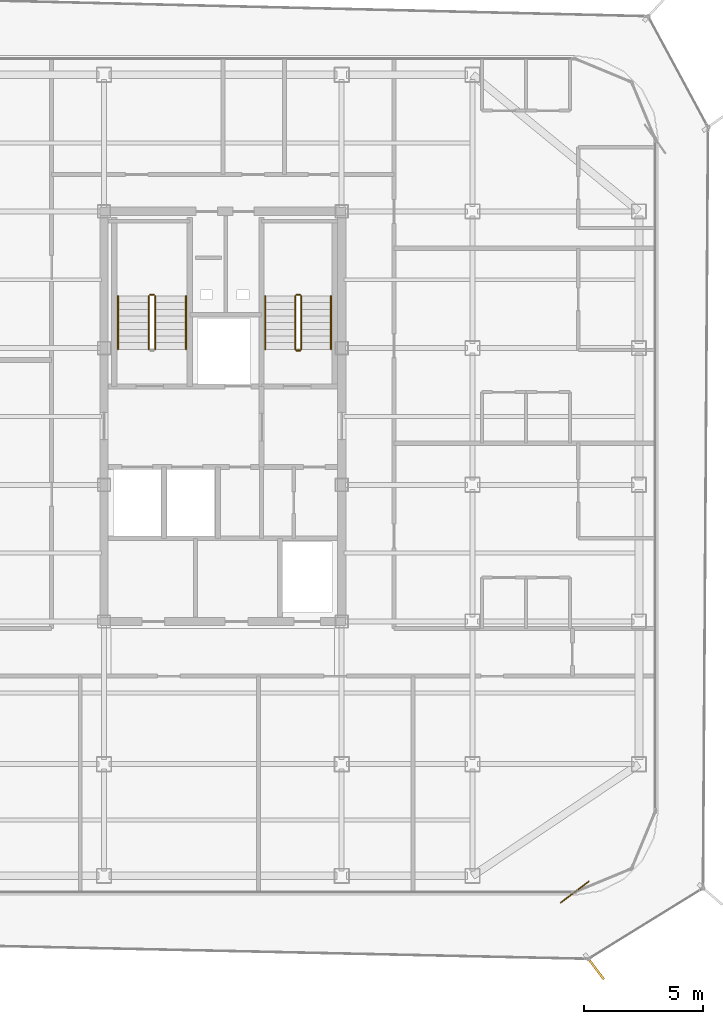
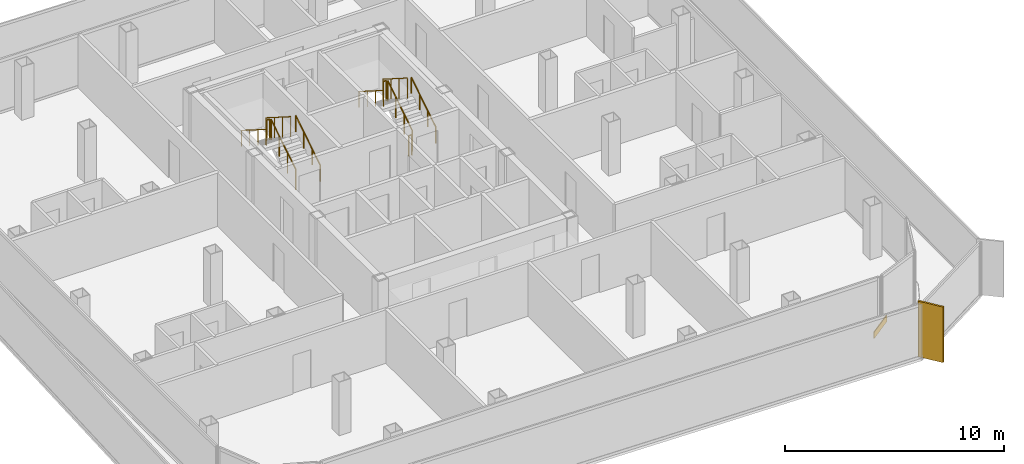
# One storey, part 14 of 15: 11 railings, 1 covering, 1 shading device.
"""IFC4 building model written with IfcOpenShell, lengths in metres."""

from ifc_helpers import new_model, si_unit, direction, frame, origin, origin_2d, place, context, subcontext, project, spatial, rectangle, circle, extrude, source, transform, mapped, material, layer, layer_set, type_object, element, save


model = new_model("IFC4")

# Units and contexts
model_context = context("Model", 3, precision=1e-05, world=origin(), true_north=direction((0.0, 1.0)))
body_context = subcontext(model_context, "Body", "Model", "MODEL_VIEW")
ifc_project = project(units=[si_unit("LENGTHUNIT", "METRE"), si_unit("AREAUNIT", "SQUARE_METRE"), si_unit("VOLUMEUNIT", "CUBIC_METRE"), si_unit("PLANEANGLEUNIT", "RADIAN"), si_unit("MASSUNIT", "GRAM", prefix="KILO")], contexts=[model_context])

# Site, building, storey
site_placement = place(None, origin())
site = spatial("IfcSite", under=ifc_project, at=site_placement, CompositionType="ELEMENT")
building_placement = place(site_placement, origin())
building = spatial("IfcBuilding", under=site, at=building_placement, Name="Kolveth Station Tower", CompositionType="ELEMENT")
storey_placement = place(building_placement, frame((0.0, 0.0, 248.89990234375)))
storey = spatial("IfcBuildingStorey", under=building, at=storey_placement, Name="L71", CompositionType="ELEMENT", Elevation=248.89990234375)

# Railings
ifc_material_1 = material(Name="Painted Steel S355 balustrade", Category="steel")
railing_type_1 = type_object("IfcRailingType", Name="Guard_GR2", PredefinedType="BALUSTRADE", material=ifc_material_1)
railing_1_placement = place(storey_placement, frame((20.64990234375, 22.949951171875, 0.177978515625)))
element("IfcRailing", 1, at=railing_1_placement, inside=storey, type_object=railing_type_1, Name="L71 ST1 stair guard 1", PredefinedType="BALUSTRADE", context=body_context, shape_type="SweptSolid", body=[
    extrude(circle(Radius=0.02392578125, at=origin_2d()), frame((0.0, 0.0, 1.1259765625), z_axis=(0.0, 0.8442293374, 0.53598211339), x_axis=(-1.0, 0.0, 0.0)), (0.0, 0.0, 1.0), 2.6533203125),
    extrude(circle(Radius=0.02099609375, at=origin_2d()), origin(), (0.0, 0.0, 1.0), 1.101806640625),
    extrude(circle(Radius=0.02099609375, at=origin_2d()), frame((0.0, 0.74658203125, 0.47412109375)), (0.0, 0.0, 1.0), 1.101806640625),
    extrude(circle(Radius=0.02099609375, at=origin_2d()), frame((0.0, 1.493408203125, 0.947998046875)), (0.0, 0.0, 1.0), 1.101806640625),
    extrude(circle(Radius=0.02099609375, at=origin_2d()), frame((0.0, 2.239990234375, 1.422119140625)), (0.0, 0.0, 1.0), 1.101806640625),
])
railing_2_placement = place(storey_placement, frame((20.60009765625, 25.239990234375, 1.60009765625)))
element("IfcRailing", 2, at=railing_2_placement, inside=storey, type_object=railing_type_1, Name="L71 ST1 stair guard 2", PredefinedType="BALUSTRADE", context=body_context, shape_type="SweptSolid", body=[
    extrude(circle(Radius=0.02392578125, at=origin_2d()), frame((0.0, 0.0, 1.1259765625), z_axis=(-1.0, 0.0, 0.0), x_axis=(0.0, -1.0, 0.0)), (0.0, 0.0, 1.0), 0.16015625),
    extrude(circle(Radius=0.02099609375, at=origin_2d()), origin(), (0.0, 0.0, 1.0), 1.101806640625),
    extrude(circle(Radius=0.02099609375, at=origin_2d()), frame((-0.16015625, 0.0, 0.0)), (0.0, 0.0, 1.0), 1.101806640625),
])
railing_3_placement = place(storey_placement, frame((20.389892578125, 25.18994140625, 1.77783203125)))
element("IfcRailing", 3, at=railing_3_placement, inside=storey, type_object=railing_type_1, Name="L71 ST1 stair guard 3", PredefinedType="BALUSTRADE", context=body_context, shape_type="SweptSolid", body=[
    extrude(circle(Radius=0.02392578125, at=origin_2d()), frame((0.0, 0.0, 1.1259765625), z_axis=(0.0, -0.84418770128, 0.536047689118), x_axis=(1.0, 0.0, 0.0)), (0.0, 0.0, 1.0), 2.6533203125),
    extrude(circle(Radius=0.02099609375, at=origin_2d()), origin(), (0.0, 0.0, 1.0), 1.101806640625),
    extrude(circle(Radius=0.02099609375, at=origin_2d()), frame((0.0, -0.74658203125, 0.47412109375)), (0.0, 0.0, 1.0), 1.101806640625),
    extrude(circle(Radius=0.02099609375, at=origin_2d()), frame((0.0, -1.493408203125, 0.9482421875)), (0.0, 0.0, 1.0), 1.101806640625),
    extrude(circle(Radius=0.02099609375, at=origin_2d()), frame((0.0, -2.239990234375, 1.42236328125)), (0.0, 0.0, 1.0), 1.101806640625),
])
railing_4_placement = place(storey_placement, frame((26.800048828125, 22.949951171875, 0.177978515625)))
element("IfcRailing", 4, at=railing_4_placement, inside=storey, type_object=railing_type_1, Name="L71 ST2 stair guard 1", PredefinedType="BALUSTRADE", context=body_context, shape_type="SweptSolid", body=[
    extrude(circle(Radius=0.02392578125, at=origin_2d()), frame((0.0, 0.0, 1.1259765625), z_axis=(0.0, 0.8442293374, 0.53598211339), x_axis=(-1.0, 0.0, 0.0)), (0.0, 0.0, 1.0), 2.6533203125),
    extrude(circle(Radius=0.02099609375, at=origin_2d()), origin(), (0.0, 0.0, 1.0), 1.101806640625),
    extrude(circle(Radius=0.02099609375, at=origin_2d()), frame((0.0, 0.74658203125, 0.47412109375)), (0.0, 0.0, 1.0), 1.101806640625),
    extrude(circle(Radius=0.02099609375, at=origin_2d()), frame((0.0, 1.493408203125, 0.947998046875)), (0.0, 0.0, 1.0), 1.101806640625),
    extrude(circle(Radius=0.02099609375, at=origin_2d()), frame((0.0, 2.239990234375, 1.422119140625)), (0.0, 0.0, 1.0), 1.101806640625),
])
railing_5_placement = place(storey_placement, frame((26.75, 25.239990234375, 1.60009765625)))
element("IfcRailing", 5, at=railing_5_placement, inside=storey, type_object=railing_type_1, Name="L71 ST2 stair guard 2", PredefinedType="BALUSTRADE", context=body_context, shape_type="SweptSolid", body=[
    extrude(circle(Radius=0.02392578125, at=origin_2d()), frame((0.0, 0.0, 1.1259765625), z_axis=(-1.0, 0.0, 0.0), x_axis=(0.0, -1.0, 0.0)), (0.0, 0.0, 1.0), 0.159912109375),
    extrude(circle(Radius=0.02099609375, at=origin_2d()), origin(), (0.0, 0.0, 1.0), 1.101806640625),
    extrude(circle(Radius=0.02099609375, at=origin_2d()), frame((-0.159912109375, 0.0, 0.0)), (0.0, 0.0, 1.0), 1.101806640625),
])
railing_6_placement = place(storey_placement, frame((26.5400390625, 25.18994140625, 1.77783203125)))
element("IfcRailing", 6, at=railing_6_placement, inside=storey, type_object=railing_type_1, Name="L71 ST2 stair guard 3", PredefinedType="BALUSTRADE", context=body_context, shape_type="SweptSolid", body=[
    extrude(circle(Radius=0.02392578125, at=origin_2d()), frame((0.0, 0.0, 1.1259765625), z_axis=(0.0, -0.84418770128, 0.536047689118), x_axis=(1.0, 0.0, 0.0)), (0.0, 0.0, 1.0), 2.6533203125),
    extrude(circle(Radius=0.02099609375, at=origin_2d()), origin(), (0.0, 0.0, 1.0), 1.101806640625),
    extrude(circle(Radius=0.02099609375, at=origin_2d()), frame((0.0, -0.74658203125, 0.47412109375)), (0.0, 0.0, 1.0), 1.101806640625),
    extrude(circle(Radius=0.02099609375, at=origin_2d()), frame((0.0, -1.493408203125, 0.9482421875)), (0.0, 0.0, 1.0), 1.101806640625),
    extrude(circle(Radius=0.02099609375, at=origin_2d()), frame((0.0, -2.239990234375, 1.42236328125)), (0.0, 0.0, 1.0), 1.101806640625),
])
railing_7_placement = place(storey_placement, frame((26.75, 22.89990234375, 0.0)))
element("IfcRailing", 7, at=railing_7_placement, inside=storey, type_object=railing_type_1, Name="L71 ST2 stair guard 4", PredefinedType="BALUSTRADE", context=body_context, shape_type="SweptSolid", body=[
    extrude(circle(Radius=0.02392578125, at=origin_2d()), frame((0.0, 0.0, 1.1259765625), z_axis=(-1.0, 0.0, 0.0), x_axis=(0.0, -1.0, 0.0)), (0.0, 0.0, 1.0), 0.159912109375),
    extrude(circle(Radius=0.02099609375, at=origin_2d()), origin(), (0.0, 0.0, 1.0), 1.101806640625),
    extrude(circle(Radius=0.02099609375, at=origin_2d()), frame((-0.159912109375, 0.0, 0.0)), (0.0, 0.0, 1.0), 1.101806640625),
])
ifc_material_2 = material(Name="Brushed stainless steel", Category="steel")
railing_type_2 = type_object("IfcRailingType", Name="Handrail_HR1", PredefinedType="HANDRAIL", material=ifc_material_2)
railing_8_placement = place(storey_placement, frame((21.949951171875, 22.949951171875, 0.177978515625)))
element("IfcRailing", 8, at=railing_8_placement, inside=storey, type_object=railing_type_2, Name="L71 ST1 stair handrail 1", PredefinedType="HANDRAIL", context=body_context, shape_type="SweptSolid", body=[
    extrude(circle(Radius=0.02392578125, at=origin_2d()), frame((0.0, 0.0, 0.8759765625), z_axis=(0.0, 0.8442293374, 0.53598211339), x_axis=(-1.0, 0.0, 0.0)), (0.0, 0.0, 1.0), 2.6533203125),
    extrude(circle(Radius=0.02099609375, at=origin_2d()), origin(), (0.0, 0.0, 1.0), 0.851806640625),
    extrude(circle(Radius=0.02099609375, at=origin_2d()), frame((0.0, 0.74658203125, 0.47412109375)), (0.0, 0.0, 1.0), 0.851806640625),
    extrude(circle(Radius=0.02099609375, at=origin_2d()), frame((0.0, 1.493408203125, 0.947998046875)), (0.0, 0.0, 1.0), 0.851806640625),
    extrude(circle(Radius=0.02099609375, at=origin_2d()), frame((0.0, 2.239990234375, 1.422119140625)), (0.0, 0.0, 1.0), 0.851806640625),
])
railing_9_placement = place(storey_placement, frame((19.090087890625, 25.18994140625, 1.77783203125)))
element("IfcRailing", 9, at=railing_9_placement, inside=storey, type_object=railing_type_2, Name="L71 ST1 stair handrail 2", PredefinedType="HANDRAIL", context=body_context, shape_type="SweptSolid", body=[
    extrude(circle(Radius=0.02392578125, at=origin_2d()), frame((0.0, 0.0, 0.8759765625), z_axis=(0.0, -0.84418770128, 0.536047689118), x_axis=(1.0, 0.0, 0.0)), (0.0, 0.0, 1.0), 2.6533203125),
    extrude(circle(Radius=0.02099609375, at=origin_2d()), origin(), (0.0, 0.0, 1.0), 0.851806640625),
    extrude(circle(Radius=0.02099609375, at=origin_2d()), frame((0.0, -0.74658203125, 0.47412109375)), (0.0, 0.0, 1.0), 0.851806640625),
    extrude(circle(Radius=0.02099609375, at=origin_2d()), frame((0.0, -1.493408203125, 0.9482421875)), (0.0, 0.0, 1.0), 0.851806640625),
    extrude(circle(Radius=0.02099609375, at=origin_2d()), frame((0.0, -2.239990234375, 1.42236328125)), (0.0, 0.0, 1.0), 0.851806640625),
])
railing_10_placement = place(storey_placement, frame((28.050048828125, 22.949951171875, 0.177978515625)))
element("IfcRailing", 10, at=railing_10_placement, inside=storey, type_object=railing_type_2, Name="L71 ST2 stair handrail 1", PredefinedType="HANDRAIL", context=body_context, shape_type="SweptSolid", body=[
    extrude(circle(Radius=0.02392578125, at=origin_2d()), frame((0.0, 0.0, 0.8759765625), z_axis=(0.0, 0.8442293374, 0.53598211339), x_axis=(-1.0, 0.0, 0.0)), (0.0, 0.0, 1.0), 2.6533203125),
    extrude(circle(Radius=0.02099609375, at=origin_2d()), origin(), (0.0, 0.0, 1.0), 0.851806640625),
    extrude(circle(Radius=0.02099609375, at=origin_2d()), frame((0.0, 0.74658203125, 0.47412109375)), (0.0, 0.0, 1.0), 0.851806640625),
    extrude(circle(Radius=0.02099609375, at=origin_2d()), frame((0.0, 1.493408203125, 0.947998046875)), (0.0, 0.0, 1.0), 0.851806640625),
    extrude(circle(Radius=0.02099609375, at=origin_2d()), frame((0.0, 2.239990234375, 1.422119140625)), (0.0, 0.0, 1.0), 0.851806640625),
])
railing_11_placement = place(storey_placement, frame((25.2900390625, 25.18994140625, 1.77783203125)))
element("IfcRailing", 11, at=railing_11_placement, inside=storey, type_object=railing_type_2, Name="L71 ST2 stair handrail 2", PredefinedType="HANDRAIL", context=body_context, shape_type="SweptSolid", body=[
    extrude(circle(Radius=0.02392578125, at=origin_2d()), frame((0.0, 0.0, 0.8759765625), z_axis=(0.0, -0.84418770128, 0.536047689118), x_axis=(1.0, 0.0, 0.0)), (0.0, 0.0, 1.0), 2.6533203125),
    extrude(circle(Radius=0.02099609375, at=origin_2d()), origin(), (0.0, 0.0, 1.0), 0.851806640625),
    extrude(circle(Radius=0.02099609375, at=origin_2d()), frame((0.0, -0.74658203125, 0.47412109375)), (0.0, 0.0, 1.0), 0.851806640625),
    extrude(circle(Radius=0.02099609375, at=origin_2d()), frame((0.0, -1.493408203125, 0.9482421875)), (0.0, 0.0, 1.0), 0.851806640625),
    extrude(circle(Radius=0.02099609375, at=origin_2d()), frame((0.0, -2.239990234375, 1.42236328125)), (0.0, 0.0, 1.0), 0.851806640625),
])

# Shading device
ifc_material_3 = material(Name="Black anodized aluminium 6063-T6", Category="aluminium")
shading_device_type = type_object("IfcShadingDeviceType", Name="FIN_VF1", PredefinedType="USERDEFINED", material=ifc_material_3)
shared_shape_1 = source(origin(), body_context, "Body", "SweptSolid", [
    extrude(rectangle(XDim=1.25, YDim=0.090087890625, at=origin_2d()), origin(), (0.0, 0.0, 1.0), 3.10009765625),
])
shading_device_placement = place(storey_placement, frame((39.14990234375, -3.052978515625, 0.0), z_axis=(0.0, 0.0, 1.0), x_axis=(0.603068773902, -0.797689196331, 0.0)))
element("IfcShadingDevice", 12, at=shading_device_placement, inside=storey, type_object=shading_device_type, Name="L71 Dark-Aluminium Solar Fin 1", ObjectType="FIN", PredefinedType="USERDEFINED", context=body_context, shape_type="MappedRepresentation", body=[
    mapped(shared_shape_1, transform((0.0, 0.0, 0.0), x_axis=(1.0, 0.0, 0.0), y_axis=(0.0, 1.0, 0.0), z_axis=(0.0, 0.0, 1.0), scale=1.0)),
])

# Covering
ifc_material_4 = material(Name="Charcoal anodized aluminium spandrel cladding", Category="aluminium")
ifc_layer = layer(ifc_material_4, 0.044921875)
ifc_layer_set = layer_set([ifc_layer], Name="Charcoal anodized aluminium spandrel cladding")
covering_type = type_object("IfcCoveringType", Name="Clad_CD1", PredefinedType="CLADDING", material=ifc_layer_set)
shared_shape_2 = source(origin(), body_context, "Body", "SweptSolid", [
    extrude(rectangle(XDim=1.5, YDim=0.044921875, at=origin_2d()), origin(), (0.0, 0.0, 1.0), 0.360107421875),
])
covering_placement = place(storey_placement, frame((38.300048828125, 0.1201171875, 0.0), z_axis=(0.0, 0.0, 1.0), x_axis=(0.797689196331, 0.603068773902, 0.0)))
element("IfcCovering", 13, at=covering_placement, inside=storey, type_object=covering_type, Name="L71 Spandrel Edge Cladding 1", PredefinedType="CLADDING", context=body_context, shape_type="MappedRepresentation", body=[
    mapped(shared_shape_2, transform((0.0, 0.0, 0.0), x_axis=(1.0, 0.0, 0.0), y_axis=(0.0, 1.0, 0.0), z_axis=(0.0, 0.0, 1.0), scale=1.0)),
])

save(model, "model.ifc")
